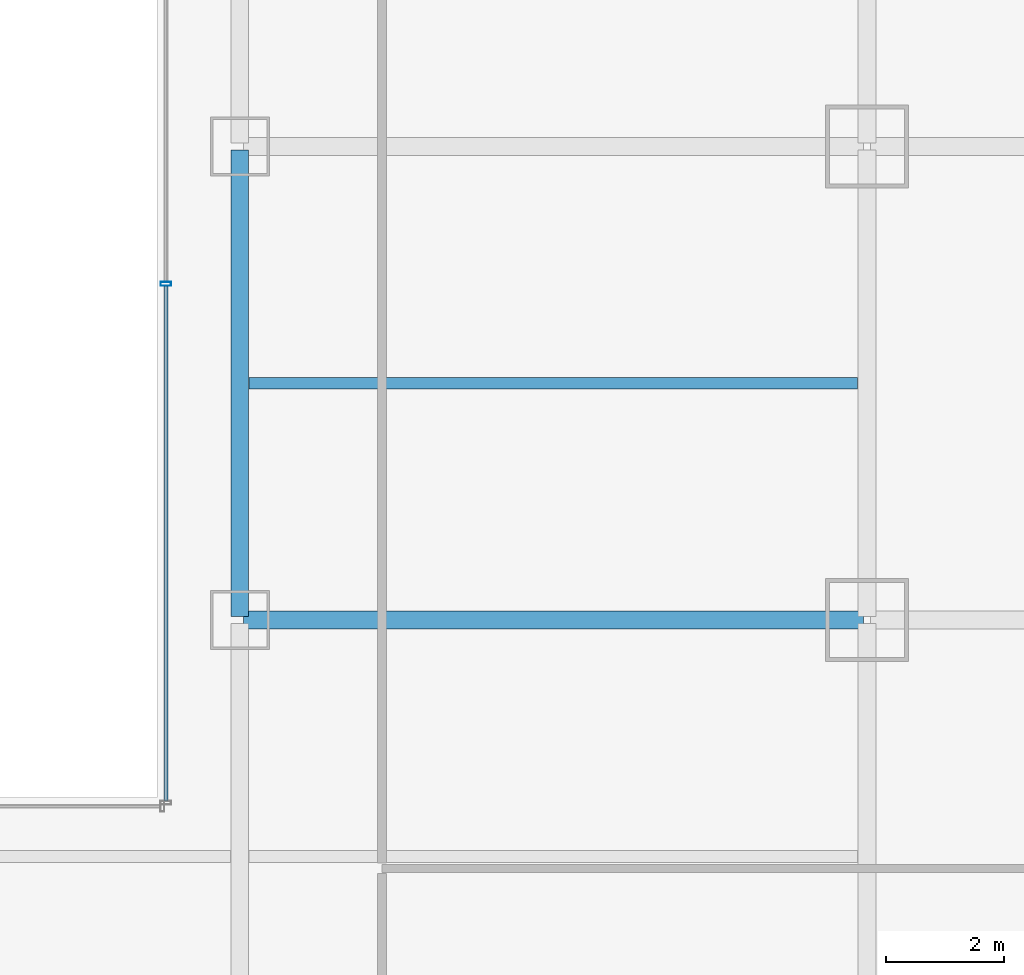
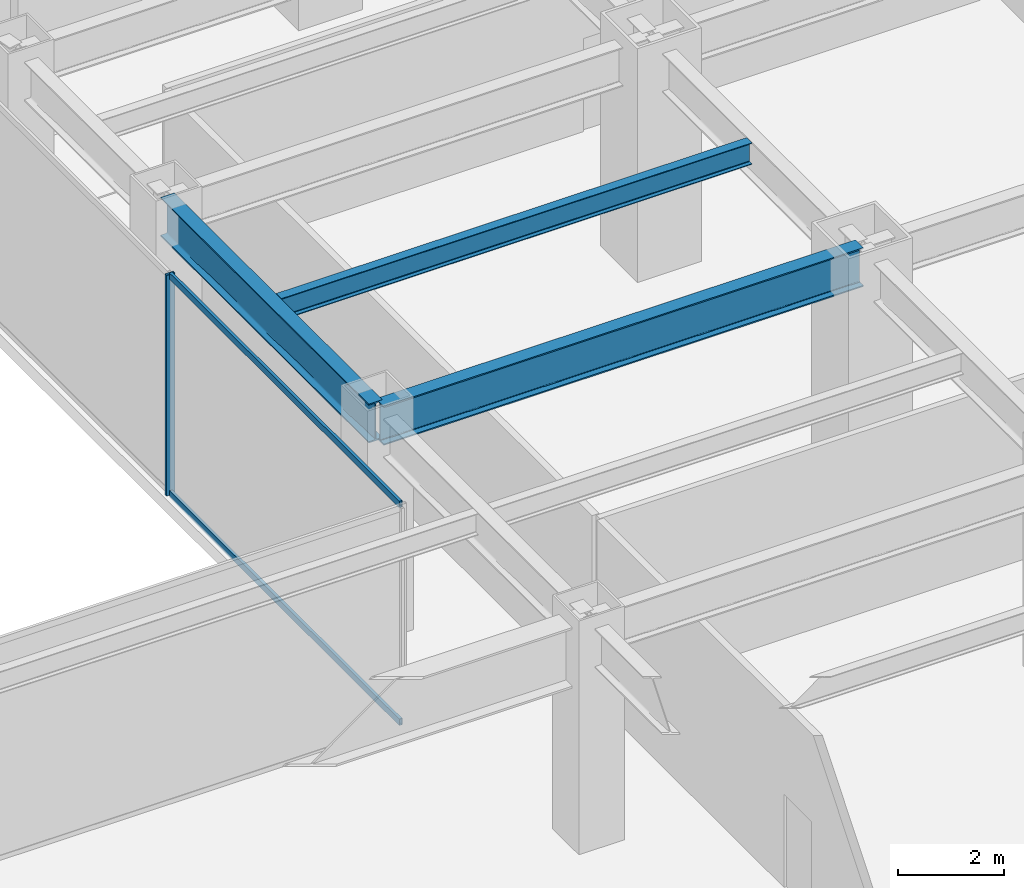
# One storey, part 20 of 51: 3 beams, 3 members, 1 element without a shape of its own.
"""IFC4 building model written with IfcOpenShell, lengths in metres."""

from ifc_helpers import new_model, si_unit, direction, frame, origin, origin_2d, place, context, subcontext, project, spatial, hollow_rectangle, i_section, extrude, material, material_profile, profile_set, type_object, element, aggregate, save


model = new_model("IFC4")

# Units and contexts
model_context = context("Model", 3, precision=1e-05, world=origin(), true_north=direction((0.0, 1.0)))
body_context = subcontext(model_context, "Body", "Model", "MODEL_VIEW")
ifc_project = project(units=[si_unit("LENGTHUNIT", "METRE"), si_unit("AREAUNIT", "SQUARE_METRE"), si_unit("VOLUMEUNIT", "CUBIC_METRE"), si_unit("PLANEANGLEUNIT", "RADIAN"), si_unit("MASSUNIT", "GRAM", prefix="KILO")], contexts=[model_context])

# Site, building, storey
site_placement = place(None, origin())
site = spatial("IfcSite", under=ifc_project, at=site_placement, CompositionType="ELEMENT")
building_placement = place(site_placement, origin())
building = spatial("IfcBuilding", under=site, at=building_placement, Name="Saevonmaru Cultural Tower", CompositionType="ELEMENT")
storey_placement = place(building_placement, frame((0.0, 0.0, 6.0)))
storey = spatial("IfcBuildingStorey", under=building, at=storey_placement, Name="L01", CompositionType="ELEMENT", Elevation=6.0)

# Beams
ifc_material_1 = material(Name="Steel SM420", Category="steel")
ifc_material_profile_1 = material_profile(ifc_material_1, i_section(OverallWidth=0.300048828125, OverallDepth=0.89990234375, WebThickness=0.01611328125, FlangeThickness=0.028076171875, FilletRadius=0.028076171875, at=origin_2d()), Name="H-900x300x16x28")
ifc_profile_set_1 = profile_set([ifc_material_profile_1], Name="Steel SM420")
beam_type_1 = type_object("IfcBeamType", Name="BM-G-H900", PredefinedType="BEAM", material=ifc_profile_set_1)
beam_1_placement = place(storey_placement, frame((37.199951171875, 24.06005859375, 4.64990234375), z_axis=(0.0, 1.0, 0.0), x_axis=(-1.0, 0.0, 0.0)))
element("IfcBeam", 1, at=beam_1_placement, inside=storey, type_object=beam_type_1, Name="L01 Podium Girder NS3-4", PredefinedType="BEAM", context=body_context, shape_type="SweptSolid", body=[
    extrude(i_section(OverallWidth=0.300048828125, OverallDepth=0.89990234375, WebThickness=0.01611328125, FlangeThickness=0.028076171875, FilletRadius=0.028076171875, at=origin_2d()), origin(), (0.0, 0.0, 1.0), 7.8798828125),
])
beam_2_placement = place(storey_placement, frame((37.260009765625, 24.0, 4.64990234375), z_axis=(1.0, 0.0, 0.0), x_axis=(0.0, 1.0, 0.0)))
element("IfcBeam", 2, at=beam_2_placement, inside=storey, type_object=beam_type_1, Name="L01 Gallery Girder E-3", PredefinedType="BEAM", context=body_context, shape_type="SweptSolid", body=[
    extrude(i_section(OverallWidth=0.300048828125, OverallDepth=0.89990234375, WebThickness=0.01611328125, FlangeThickness=0.028076171875, FilletRadius=0.028076171875, at=origin_2d()), origin(), (0.0, 0.0, 1.0), 10.47998046875),
])
ifc_material_2 = material(Name="Steel SM355", Category="steel")
ifc_material_profile_2 = material_profile(ifc_material_2, i_section(OverallWidth=0.199951171875, OverallDepth=0.5, WebThickness=0.010009765625, FlangeThickness=0.01611328125, FilletRadius=0.02001953125, at=origin_2d()), Name="H-500x200x10x16")
ifc_profile_set_2 = profile_set([ifc_material_profile_2], Name="Steel SM355")
beam_type_2 = type_object("IfcBeamType", Name="BM-J-H500", PredefinedType="JOIST", material=ifc_profile_set_2)
beam_3_placement = place(storey_placement, frame((37.35791015625, 28.0, 4.85009765625), z_axis=(1.0, 0.0, 0.0), x_axis=(0.0, 1.0, 0.0)))
element("IfcBeam", 3, at=beam_3_placement, inside=storey, type_object=beam_type_2, Name="L01 Secondary Floor Joist JE-3", PredefinedType="JOIST", context=body_context, shape_type="SweptSolid", body=[
    extrude(i_section(OverallWidth=0.199951171875, OverallDepth=0.5, WebThickness=0.010009765625, FlangeThickness=0.01611328125, FilletRadius=0.02001953125, at=origin_2d()), origin(), (0.0, 0.0, 1.0), 10.2841796875),
])

# Curtain wall, members
ifc_material_3 = material(Name="Satin Bronze Anodised Aluminium", Category="aluminium")
curtain_wall_type = type_object("IfcCurtainWallType", Name="CW-ATR-GLZ", PredefinedType="NOTDEFINED", material=ifc_material_3)
curtain_wall_placement = place(storey_placement, origin())
curtain_wall = element("IfcCurtainWall", 4, at=curtain_wall_placement, inside=storey, type_object=curtain_wall_type, Name="L01 Vertical Atrium Glazed Smoke Screen 2", PredefinedType="NOTDEFINED")
ifc_material_profile_3 = material_profile(ifc_material_3, hollow_rectangle(XDim=0.06494140625, YDim=0.179931640625, WallThickness=0.00390625, at=origin_2d()), Name="ALU-MULL-180x65x4")
ifc_profile_set_3 = profile_set([ifc_material_profile_3], Name="Satin Bronze Anodised Aluminium")
member_type_1 = type_object("IfcMemberType", Name="ML-CW-INT-180x65", PredefinedType="MULLION", material=ifc_profile_set_3)
member_1_placement = place(storey_placement, frame((35.949951171875, 29.679931640625, 0.0), z_axis=(0.0, 0.0, 1.0), x_axis=(0.0, 1.0, 0.0)))
member_1 = element("IfcMember", 5, at=member_1_placement, type_object=member_type_1, Name="CW-ATR-L01-2 mullion 2", PredefinedType="MULLION", context=body_context, shape_type="SweptSolid", body=[
    extrude(hollow_rectangle(XDim=0.06494140625, YDim=0.179931640625, WallThickness=0.00390625, at=origin_2d()), origin(), (0.0, 0.0, 1.0), 5.10009765625),
])
ifc_material_profile_4 = material_profile(ifc_material_3, hollow_rectangle(XDim=0.06494140625, YDim=0.14990234375, WallThickness=0.00390625, at=origin_2d()), Name="ALU-TRAN-150x65x4")
ifc_profile_set_4 = profile_set([ifc_material_profile_4], Name="Satin Bronze Anodised Aluminium")
member_type_2 = type_object("IfcMemberType", Name="TR-CW-INT-150x65", PredefinedType="USERDEFINED", material=ifc_profile_set_4)
member_2_placement = place(storey_placement, frame((35.949951171875, 20.9423828125, 0.032470703125), z_axis=(0.0, 1.0, 0.0), x_axis=(-1.0, 0.0, 0.0)))
member_2 = element("IfcMember", 6, at=member_2_placement, type_object=member_type_2, Name="CW-ATR-L01-2 transom 1.1", ObjectType="TRANSOM", PredefinedType="USERDEFINED", context=body_context, shape_type="SweptSolid", body=[
    extrude(hollow_rectangle(XDim=0.06494140625, YDim=0.14990234375, WallThickness=0.00390625, at=origin_2d()), origin(), (0.0, 0.0, 1.0), 8.705078125),
])
member_3_placement = place(storey_placement, frame((35.949951171875, 20.9423828125, 5.0673828125), z_axis=(0.0, 1.0, 0.0), x_axis=(-1.0, 0.0, 0.0)))
member_3 = element("IfcMember", 7, at=member_3_placement, type_object=member_type_2, Name="CW-ATR-L01-2 transom 1.2", ObjectType="TRANSOM", PredefinedType="USERDEFINED", context=body_context, shape_type="SweptSolid", body=[
    extrude(hollow_rectangle(XDim=0.06494140625, YDim=0.14990234375, WallThickness=0.00390625, at=origin_2d()), origin(), (0.0, 0.0, 1.0), 8.705078125),
])
aggregate(curtain_wall, [member_1, member_2, member_3])

save(model, "model.ifc")
